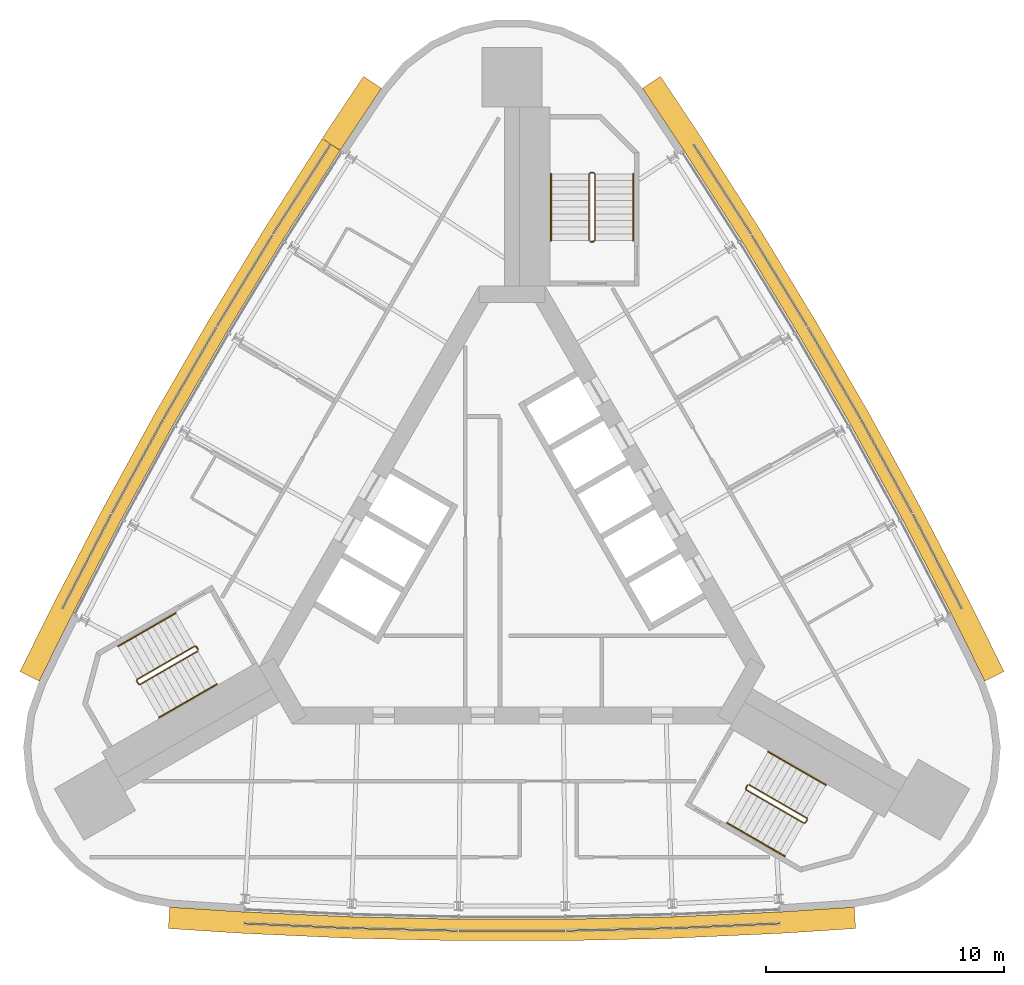
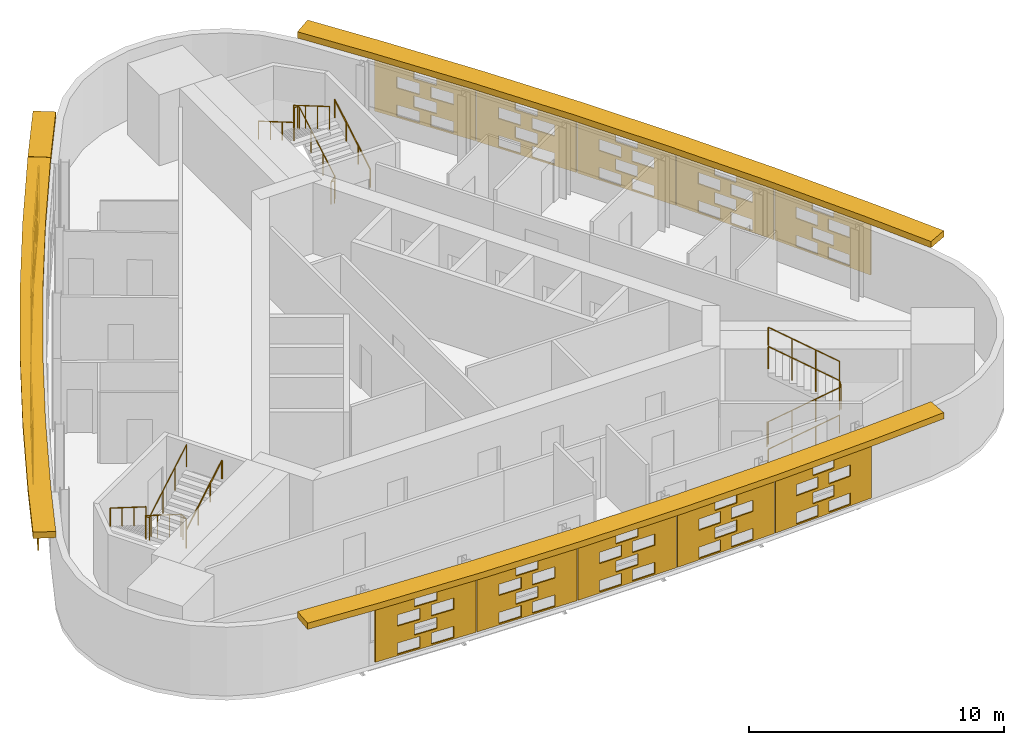
# One storey, part 9 of 9: 19 shading devices, 9 railings.
"""IFC4 building model written with IfcOpenShell, lengths in metres."""

from ifc_helpers import new_model, si_unit, direction, frame, origin, origin_2d, place, context, subcontext, project, spatial, polyline, circle, outline, extrude, material, material_profile, profile_set, type_object, element, save


model = new_model("IFC4")

# Units and contexts
model_context = context("Model", 3, precision=1e-05, world=origin(), true_north=direction((0.0, 1.0)))
body_context = subcontext(model_context, "Body", "Model", "MODEL_VIEW")
ifc_project = project(units=[si_unit("LENGTHUNIT", "METRE"), si_unit("AREAUNIT", "SQUARE_METRE"), si_unit("VOLUMEUNIT", "CUBIC_METRE"), si_unit("PLANEANGLEUNIT", "RADIAN"), si_unit("MASSUNIT", "GRAM", prefix="KILO")], contexts=[model_context])

# Site, building, storey
site_placement = place(None, origin())
site = spatial("IfcSite", under=ifc_project, at=site_placement, CompositionType="ELEMENT")
building_placement = place(site_placement, origin())
building = spatial("IfcBuilding", under=site, at=building_placement, Name="Noor Cloister Tower", CompositionType="ELEMENT")
storey_placement = place(building_placement, frame((0.0, 0.0, 232.800048828125)))
storey = spatial("IfcBuildingStorey", under=building, at=storey_placement, Name="L60", CompositionType="ELEMENT", Elevation=232.800048828125)

# Shading devices
ifc_material_1 = material(Name="Limestone", Category="masonry")
ifc_material_profile = material_profile(ifc_material_1, outline(polyline([(-2.22998046875, -1.35009765625), (2.22998046875, -1.35009765625), (2.22998046875, 1.35009765625), (-2.22998046875, 1.35009765625), (-2.22998046875, -1.35009765625)]), holes=[polyline([(-1.25, -1.282470703125), (-0.25, -1.282470703125), (-0.25, -0.742431640625), (-1.25, -0.742431640625), (-1.25, -1.282470703125)]), polyline([(0.25, -1.282470703125), (1.25, -1.282470703125), (1.25, -0.742431640625), (0.25, -0.742431640625), (0.25, -1.282470703125)]), polyline([(-0.5, -0.607421875), (0.5, -0.607421875), (0.5, -0.0673828125), (-0.5, -0.0673828125), (-0.5, -0.607421875)]), polyline([(-1.25, 0.0673828125), (-0.25, 0.0673828125), (-0.25, 0.607421875), (-1.25, 0.607421875), (-1.25, 0.0673828125)]), polyline([(0.25, 0.0673828125), (1.25, 0.0673828125), (1.25, 0.607421875), (0.25, 0.607421875), (0.25, 0.0673828125)]), polyline([(-0.5, 0.742431640625), (0.5, 0.742431640625), (0.5, 1.282470703125), (-0.5, 1.282470703125), (-0.5, 0.742431640625)])]), Name="Woven screen 35 percent open")
ifc_profile_set = profile_set([ifc_material_profile], Name="Limestone")
shading_device_type_1 = type_object("IfcShadingDeviceType", Name="SCREEN woven limestone 35 percent open", PredefinedType="USERDEFINED", material=ifc_profile_set)
for number, where, z_axis, x_axis, name in (
    (1, (-8.8037109375, 15.494384765625, 1.849853515625), (-0.841310503427, 0.540552159207, 0.0), (-0.540552159207, -0.841310503427, 0.0), "SCREEN L60 1"),
    (2, (-11.18994140625, 11.667724609375, 1.849853515625), (-0.853884327381, 0.520462828118, 0.0), (-0.520462828118, -0.853884327381, 0.0), "SCREEN L60 2"),
    (3, (-13.489013671875, 7.787841796875, 1.849853515625), (-0.865982457891, 0.500074377092, 0.0), (-0.500074377092, -0.865982457891, 0.0), "SCREEN L60 3"),
    (4, (-15.699462890625, 3.85693359375, 1.849853515625), (-0.877584848731, 0.479421352547, 0.0), (-0.479421352547, -0.877584848731, 0.0), "SCREEN L60 4"),
    (5, (-17.820556640625, -0.123046875, 1.849853515625), (-0.887816162103, 0.460198285861, 0.0), (-0.460198285861, -0.887816162103, 0.0), "SCREEN L60 5"),
):
    element("IfcShadingDevice", number, at=place(storey_placement, frame(where, z_axis=z_axis, x_axis=x_axis)), inside=storey, type_object=shading_device_type_1, Name=name, ObjectType="SCREEN", PredefinedType="USERDEFINED", context=body_context, shape_type="SweptSolid", body=[
        extrude(outline(polyline([(-2.22998046875, -1.35009765625), (2.22998046875, -1.35009765625), (2.22998046875, 1.35009765625), (-2.22998046875, 1.35009765625), (-2.22998046875, -1.35009765625)]), holes=[polyline([(-1.25, -1.282470703125), (-0.25, -1.282470703125), (-0.25, -0.742431640625), (-1.25, -0.742431640625), (-1.25, -1.282470703125)]), polyline([(0.25, -1.282470703125), (1.25, -1.282470703125), (1.25, -0.742431640625), (0.25, -0.742431640625), (0.25, -1.282470703125)]), polyline([(-0.5, -0.607421875), (0.5, -0.607421875), (0.5, -0.0673828125), (-0.5, -0.0673828125), (-0.5, -0.607421875)]), polyline([(-1.25, 0.0673828125), (-0.25, 0.0673828125), (-0.25, 0.607421875), (-1.25, 0.607421875), (-1.25, 0.0673828125)]), polyline([(0.25, 0.0673828125), (1.25, 0.0673828125), (1.25, 0.607421875), (0.25, 0.607421875), (0.25, 0.0673828125)]), polyline([(-0.5, 0.742431640625), (0.5, 0.742431640625), (0.5, 1.282470703125), (-0.5, 1.282470703125), (-0.5, 0.742431640625)])]), origin(), (0.0, 0.0, 1.0), 0.06005859375),
    ])
shading_device_1_placement = place(storey_placement, frame((-9.016845703125, -15.37158203125, 1.849853515625), z_axis=(-0.044852774233, -0.998993607909, 0.0), x_axis=(0.998993607909, -0.044852774233, 0.0)))
element("IfcShadingDevice", 6, at=shading_device_1_placement, inside=storey, type_object=shading_device_type_1, Name="SCREEN L60 1", ObjectType="SCREEN", PredefinedType="USERDEFINED", context=body_context, shape_type="SweptSolid", body=[
    extrude(outline(polyline([(-2.22998046875, -1.35009765625), (2.22998046875, -1.35009765625), (2.22998046875, 1.35009765625), (-2.22998046875, 1.35009765625), (-2.22998046875, -1.35009765625)]), holes=[polyline([(-1.25, -1.282470703125), (-0.25, -1.282470703125), (-0.25, -0.742431640625), (-1.25, -0.742431640625), (-1.25, -1.282470703125)]), polyline([(0.25, -1.282470703125), (1.25, -1.282470703125), (1.25, -0.742431640625), (0.25, -0.742431640625), (0.25, -1.282470703125)]), polyline([(-0.5, -0.607421875), (0.5, -0.607421875), (0.5, -0.0673828125), (-0.5, -0.0673828125), (-0.5, -0.607421875)]), polyline([(-1.25, 0.0673828125), (-0.25, 0.0673828125), (-0.25, 0.607421875), (-1.25, 0.607421875), (-1.25, 0.0673828125)]), polyline([(0.25, 0.0673828125), (1.25, 0.0673828125), (1.25, 0.607421875), (0.25, 0.607421875), (0.25, 0.0673828125)]), polyline([(-0.5, 0.742431640625), (0.5, 0.742431640625), (0.5, 1.282470703125), (-0.5, 1.282470703125), (-0.5, 0.742431640625)])]), origin(), (0.0, 0.0, 1.0), 0.059814453125),
])
for number, where, z_axis, x_axis, name in (
    (7, (-4.509521484375, -15.524658203125, 1.849853515625), (-0.024382992455, -0.999702690643, 0.0), (0.999702690643, -0.024382992455, 0.0), "SCREEN L60 2"),
    (8, (0.0, -15.57568359375, 1.849853515625), (0.0, -1.0, 0.0), (1.0, 0.0, 0.0), "SCREEN L60 3"),
    (9, (4.509521484375, -15.524658203125, 1.849853515625), (0.024382992455, -0.999702690643, 0.0), (0.999702690643, 0.024382992455, 0.0), "SCREEN L60 4"),
):
    element("IfcShadingDevice", number, at=place(storey_placement, frame(where, z_axis=z_axis, x_axis=x_axis)), inside=storey, type_object=shading_device_type_1, Name=name, ObjectType="SCREEN", PredefinedType="USERDEFINED", context=body_context, shape_type="SweptSolid", body=[
        extrude(outline(polyline([(-2.22998046875, -1.35009765625), (2.22998046875, -1.35009765625), (2.22998046875, 1.35009765625), (-2.22998046875, 1.35009765625), (-2.22998046875, -1.35009765625)]), holes=[polyline([(-1.25, -1.282470703125), (-0.25, -1.282470703125), (-0.25, -0.742431640625), (-1.25, -0.742431640625), (-1.25, -1.282470703125)]), polyline([(0.25, -1.282470703125), (1.25, -1.282470703125), (1.25, -0.742431640625), (0.25, -0.742431640625), (0.25, -1.282470703125)]), polyline([(-0.5, -0.607421875), (0.5, -0.607421875), (0.5, -0.0673828125), (-0.5, -0.0673828125), (-0.5, -0.607421875)]), polyline([(-1.25, 0.0673828125), (-0.25, 0.0673828125), (-0.25, 0.607421875), (-1.25, 0.607421875), (-1.25, 0.0673828125)]), polyline([(0.25, 0.0673828125), (1.25, 0.0673828125), (1.25, 0.607421875), (0.25, 0.607421875), (0.25, 0.0673828125)]), polyline([(-0.5, 0.742431640625), (0.5, 0.742431640625), (0.5, 1.282470703125), (-0.5, 1.282470703125), (-0.5, 0.742431640625)])]), origin(), (0.0, 0.0, 1.0), 0.06005859375),
    ])
shading_device_2_placement = place(storey_placement, frame((9.016845703125, -15.37158203125, 1.849853515625), z_axis=(0.044852774233, -0.998993607909, 0.0), x_axis=(0.998993607909, 0.044852774233, 0.0)))
element("IfcShadingDevice", 10, at=shading_device_2_placement, inside=storey, type_object=shading_device_type_1, Name="SCREEN L60 5", ObjectType="SCREEN", PredefinedType="USERDEFINED", context=body_context, shape_type="SweptSolid", body=[
    extrude(outline(polyline([(-2.22998046875, -1.35009765625), (2.22998046875, -1.35009765625), (2.22998046875, 1.35009765625), (-2.22998046875, 1.35009765625), (-2.22998046875, -1.35009765625)]), holes=[polyline([(-1.25, -1.282470703125), (-0.25, -1.282470703125), (-0.25, -0.742431640625), (-1.25, -0.742431640625), (-1.25, -1.282470703125)]), polyline([(0.25, -1.282470703125), (1.25, -1.282470703125), (1.25, -0.742431640625), (0.25, -0.742431640625), (0.25, -1.282470703125)]), polyline([(-0.5, -0.607421875), (0.5, -0.607421875), (0.5, -0.0673828125), (-0.5, -0.0673828125), (-0.5, -0.607421875)]), polyline([(-1.25, 0.0673828125), (-0.25, 0.0673828125), (-0.25, 0.607421875), (-1.25, 0.607421875), (-1.25, 0.0673828125)]), polyline([(0.25, 0.0673828125), (1.25, 0.0673828125), (1.25, 0.607421875), (0.25, 0.607421875), (0.25, 0.0673828125)]), polyline([(-0.5, 0.742431640625), (0.5, 0.742431640625), (0.5, 1.282470703125), (-0.5, 1.282470703125), (-0.5, 0.742431640625)])]), origin(), (0.0, 0.0, 1.0), 0.059814453125),
])
for number, where, z_axis, x_axis, name in (
    (11, (17.820556640625, -0.123046875, 1.849853515625), (0.887816162103, 0.460198285861, 0.0), (-0.460198285861, 0.887816162103, 0.0), "SCREEN L60 1"),
    (12, (15.699462890625, 3.85693359375, 1.849853515625), (0.877584848731, 0.479421352547, 0.0), (-0.479421352547, 0.877584848731, 0.0), "SCREEN L60 2"),
    (13, (13.489013671875, 7.787841796875, 1.849853515625), (0.865982457891, 0.500074377092, 0.0), (-0.500074377092, 0.865982457891, 0.0), "SCREEN L60 3"),
    (14, (11.18994140625, 11.667724609375, 1.849853515625), (0.853884327381, 0.520462828118, 0.0), (-0.520462828118, 0.853884327381, 0.0), "SCREEN L60 4"),
    (15, (8.8037109375, 15.494384765625, 1.849853515625), (0.841310503427, 0.540552159207, 0.0), (-0.540552159207, 0.841310503427, 0.0), "SCREEN L60 5"),
):
    element("IfcShadingDevice", number, at=place(storey_placement, frame(where, z_axis=z_axis, x_axis=x_axis)), inside=storey, type_object=shading_device_type_1, Name=name, ObjectType="SCREEN", PredefinedType="USERDEFINED", context=body_context, shape_type="SweptSolid", body=[
        extrude(outline(polyline([(-2.22998046875, -1.35009765625), (2.22998046875, -1.35009765625), (2.22998046875, 1.35009765625), (-2.22998046875, 1.35009765625), (-2.22998046875, -1.35009765625)]), holes=[polyline([(-1.25, -1.282470703125), (-0.25, -1.282470703125), (-0.25, -0.742431640625), (-1.25, -0.742431640625), (-1.25, -1.282470703125)]), polyline([(0.25, -1.282470703125), (1.25, -1.282470703125), (1.25, -0.742431640625), (0.25, -0.742431640625), (0.25, -1.282470703125)]), polyline([(-0.5, -0.607421875), (0.5, -0.607421875), (0.5, -0.0673828125), (-0.5, -0.0673828125), (-0.5, -0.607421875)]), polyline([(-1.25, 0.0673828125), (-0.25, 0.0673828125), (-0.25, 0.607421875), (-1.25, 0.607421875), (-1.25, 0.0673828125)]), polyline([(0.25, 0.0673828125), (1.25, 0.0673828125), (1.25, 0.607421875), (0.25, 0.607421875), (0.25, 0.0673828125)]), polyline([(-0.5, 0.742431640625), (0.5, 0.742431640625), (0.5, 1.282470703125), (-0.5, 1.282470703125), (-0.5, 0.742431640625)])]), origin(), (0.0, 0.0, 1.0), 0.06005859375),
    ])
ifc_material_2 = material(Name="Limestone", Category="masonry")
shading_device_type_2 = type_object("IfcShadingDeviceType", Name="SUNSHADE limestone band 900", PredefinedType="USERDEFINED", material=ifc_material_2)
shading_device_3_placement = place(storey_placement, frame((0.0, 0.0, 3.300048828125)))
element("IfcShadingDevice", 16, at=shading_device_3_placement, inside=storey, type_object=shading_device_type_2, Name="SUNSHADE L60 1", ObjectType="SUNSHADE", PredefinedType="USERDEFINED", context=body_context, shape_type="SweptSolid", body=[
    extrude(outline(polyline([(-7.970703125, 17.632568359375), (-10.400390625, 13.832763671875), (-12.74853515625, 9.97021484375), (-15.0087890625, 6.0556640625), (-17.1796875, 2.090576171875), (-19.259521484375, -1.9208984375), (-20.64892578125, -4.731689453125), (-19.842041015625, -5.13037109375), (-18.45654296875, -2.32763671875), (-16.385498046875, 1.66748046875), (-14.224365234375, 5.6142578125), (-11.974365234375, 9.511474609375), (-9.63671875, 13.3564453125), (-7.212646484375, 17.147705078125), (-7.970703125, 17.632568359375)])), origin(), (0.0, 0.0, 1.0), 0.2998046875),
])
shading_device_4_placement = place(storey_placement, frame((0.0, 0.0, 3.300048828125)))
element("IfcShadingDevice", 17, at=shading_device_4_placement, inside=storey, type_object=shading_device_type_2, Name="SUNSHADE L60 2", ObjectType="SUNSHADE", PredefinedType="USERDEFINED", context=body_context, shape_type="SweptSolid", body=[
    extrude(outline(polyline([(-14.422119140625, -15.5166015625), (-11.29345703125, -15.71875), (-6.779296875, -15.92333984375), (-2.26025390625, -16.02587890625), (2.26025390625, -16.02587890625), (6.779296875, -15.92333984375), (11.29345703125, -15.71875), (14.422119140625, -15.5166015625), (14.3642578125, -14.61865234375), (11.243896484375, -14.820068359375), (6.748779296875, -15.02392578125), (2.25, -15.125732421875), (-2.25, -15.125732421875), (-6.748779296875, -15.02392578125), (-11.243896484375, -14.820068359375), (-14.3642578125, -14.61865234375), (-14.422119140625, -15.5166015625)])), origin(), (0.0, 0.0, 1.0), 0.2998046875),
])
shading_device_5_placement = place(storey_placement, frame((0.0, 0.0, 3.300048828125)))
element("IfcShadingDevice", 18, at=shading_device_5_placement, inside=storey, type_object=shading_device_type_2, Name="SUNSHADE L60 3", ObjectType="SUNSHADE", PredefinedType="USERDEFINED", context=body_context, shape_type="SweptSolid", body=[
    extrude(outline(polyline([(20.64892578125, -4.731689453125), (19.259521484375, -1.9208984375), (17.1796875, 2.090576171875), (15.0087890625, 6.0556640625), (12.74853515625, 9.97021484375), (10.400390625, 13.832763671875), (7.966064453125, 17.6396484375), (6.226806640625, 20.248291015625), (5.47802734375, 19.7490234375), (7.212646484375, 17.147705078125), (9.63671875, 13.3564453125), (11.974365234375, 9.511474609375), (14.224365234375, 5.6142578125), (16.385498046875, 1.66748046875), (18.45654296875, -2.32763671875), (19.842041015625, -5.13037109375), (20.64892578125, -4.731689453125)])), origin(), (0.0, 0.0, 1.0), 0.2998046875),
])
shading_device_6_placement = place(storey_placement, frame((0.0, 0.0, 3.300048828125)))
element("IfcShadingDevice", 19, at=shading_device_6_placement, inside=storey, type_object=shading_device_type_2, Name="SUNSHADE L60 4", ObjectType="SUNSHADE", PredefinedType="USERDEFINED", context=body_context, shape_type="SweptSolid", body=[
    extrude(outline(polyline([(-6.226806640625, 20.248291015625), (-7.96142578125, 17.64697265625), (-7.212646484375, 17.147705078125), (-5.47802734375, 19.7490234375), (-6.226806640625, 20.248291015625)])), origin(), (0.0, 0.0, 1.0), 0.2998046875),
])

# Railings
ifc_material_3 = material(Name="Stainless steel", Category="steel")
railing_type_1 = type_object("IfcRailingType", Name="Stair guard 1100", PredefinedType="GUARDRAIL", material=ifc_material_3)
railing_1_placement = place(storey_placement, frame((3.435546875, 13.306396484375, 0.0)))
element("IfcRailing", 20, at=railing_1_placement, inside=storey, type_object=railing_type_1, Name="Stair guard ST1 L60", PredefinedType="GUARDRAIL", context=body_context, shape_type="SweptSolid", body=[
    extrude(circle(Radius=0.02392578125, at=origin_2d()), frame((0.0, 0.0, 1.076171875), z_axis=(-1.0, 0.0, 0.0), x_axis=(0.0, -1.0, 0.0)), (0.0, 0.0, 1.0), 0.14990234375),
    extrude(circle(Radius=0.02392578125, at=origin_2d()), frame((-0.14990234375, 0.0, 1.076171875), z_axis=(0.759870394187, 0.190199549216, 0.621627795), x_axis=(-0.242814311512, 0.970072785993, 0.0)), (0.0, 0.0, 1.0), 0.26318359375),
    extrude(circle(Radius=0.02392578125, at=origin_2d()), frame((0.050048828125, 0.050048828125, 1.23974609375), z_axis=(0.0, 0.863360870873, 0.504586966384), x_axis=(-1.0, 0.0, 0.0)), (0.0, 0.0, 1.0), 3.2431640625),
    extrude(circle(Radius=0.02392578125, at=origin_2d()), frame((0.050048828125, 2.85009765625, 2.8759765625), z_axis=(-0.708833529934, 0.705375805398, 0.0), x_axis=(-0.705375805398, -0.708833529934, 0.0)), (0.0, 0.0, 1.0), 0.070556640625),
    extrude(circle(Radius=0.02392578125, at=origin_2d()), frame((0.0, 2.89990234375, 2.8759765625), z_axis=(-1.0, 0.0, 0.0), x_axis=(0.0, -1.0, 0.0)), (0.0, 0.0, 1.0), 0.14990234375),
    extrude(circle(Radius=0.02392578125, at=origin_2d()), frame((-0.14990234375, 2.89990234375, 2.8759765625), z_axis=(-0.280916556609, -0.279546231943, 0.91811752648), x_axis=(0.705375805398, -0.708833529934, 0.0)), (0.0, 0.0, 1.0), 0.17822265625),
    extrude(circle(Radius=0.02392578125, at=origin_2d()), frame((-0.199951171875, 2.85009765625, 3.03955078125), z_axis=(0.0, -0.863393664356, 0.504530851732), x_axis=(1.0, 0.0, 0.0)), (0.0, 0.0, 1.0), 3.2431640625),
    extrude(circle(Radius=0.02099609375, at=origin_2d()), origin(), (0.0, 0.0, 1.0), 1.052001953125),
    extrude(circle(Radius=0.02099609375, at=origin_2d()), frame((-0.14990234375, 0.0, 0.0)), (0.0, 0.0, 1.0), 1.052001953125),
    extrude(circle(Radius=0.02099609375, at=origin_2d()), frame((0.050048828125, 0.050048828125, 0.16357421875)), (0.0, 0.0, 1.0), 1.052001953125),
    extrude(circle(Radius=0.02099609375, at=origin_2d()), frame((0.050048828125, 0.9833984375, 0.708984375)), (0.0, 0.0, 1.0), 1.052001953125),
    extrude(circle(Radius=0.02099609375, at=origin_2d()), frame((0.050048828125, 1.916748046875, 1.254638671875)), (0.0, 0.0, 1.0), 1.052001953125),
    extrude(circle(Radius=0.02099609375, at=origin_2d()), frame((0.050048828125, 2.85009765625, 1.800048828125)), (0.0, 0.0, 1.0), 1.052001953125),
    extrude(circle(Radius=0.02099609375, at=origin_2d()), frame((0.0, 2.89990234375, 1.800048828125)), (0.0, 0.0, 1.0), 1.052001953125),
    extrude(circle(Radius=0.02099609375, at=origin_2d()), frame((-0.14990234375, 2.89990234375, 1.800048828125)), (0.0, 0.0, 1.0), 1.052001953125),
    extrude(circle(Radius=0.02099609375, at=origin_2d()), frame((-0.199951171875, 2.85009765625, 1.963623046875)), (0.0, 0.0, 1.0), 1.052001953125),
    extrude(circle(Radius=0.02099609375, at=origin_2d()), frame((-0.199951171875, 1.916748046875, 2.509033203125)), (0.0, 0.0, 1.0), 1.052001953125),
    extrude(circle(Radius=0.02099609375, at=origin_2d()), frame((-0.199951171875, 0.9833984375, 3.054443359375)), (0.0, 0.0, 1.0), 1.052001953125),
    extrude(circle(Radius=0.02099609375, at=origin_2d()), frame((-0.199951171875, 0.050048828125, 3.599853515625)), (0.0, 0.0, 1.0), 1.052001953125),
])
railing_2_placement = place(storey_placement, frame((-13.241455078125, -3.677734375, 0.0)))
element("IfcRailing", 21, at=railing_2_placement, inside=storey, type_object=railing_type_1, Name="Stair guard ST2 L60", PredefinedType="GUARDRAIL", context=body_context, shape_type="SweptSolid", body=[
    extrude(circle(Radius=0.02392578125, at=origin_2d()), frame((0.0, 0.0, 1.076171875), z_axis=(0.499112439033, -0.866537231285, 0.0), x_axis=(0.866537231285, 0.499112439033, 0.0)), (0.0, 0.0, 1.0), 0.150146484375),
    extrude(circle(Radius=0.02392578125, at=origin_2d()), frame((0.074951171875, -0.130126953125, 1.076171875), z_axis=(-0.544565797804, 0.563119998752, 0.621565731736), x_axis=(-0.718850276695, -0.695164929852, 0.0)), (0.0, 0.0, 1.0), 0.26318359375),
    extrude(circle(Radius=0.02392578125, at=origin_2d()), frame((-0.068359375, 0.01806640625, 1.23974609375), z_axis=(-0.747689811644, -0.431660630283, 0.504607813879), x_axis=(0.49998411664, -0.866034573852, 0.0)), (0.0, 0.0, 1.0), 3.2431640625),
    extrude(circle(Radius=0.02392578125, at=origin_2d()), frame((-2.4931640625, -1.3818359375, 2.8759765625), z_axis=(-0.258736085224, -0.965948051503, 0.0), x_axis=(0.965948051503, -0.258736085224, 0.0)), (0.0, 0.0, 1.0), 0.07080078125),
    extrude(circle(Radius=0.02392578125, at=origin_2d()), frame((-2.511474609375, -1.4501953125, 2.8759765625), z_axis=(0.499816412211, -0.866131372301, 0.0), x_axis=(0.866131372301, 0.499816412211, 0.0)), (0.0, 0.0, 1.0), 0.14990234375),
    extrude(circle(Radius=0.02392578125, at=origin_2d()), frame((-2.4365234375, -1.580078125, 2.8759765625), z_axis=(0.383552647116, -0.102737316192, 0.917786691313), x_axis=(0.258736085224, 0.965948051503, 0.0)), (0.0, 0.0, 1.0), 0.17822265625),
    extrude(circle(Radius=0.02392578125, at=origin_2d()), frame((-2.3681640625, -1.598388671875, 3.03955078125), z_axis=(0.747693913401, 0.431738279637, 0.504535300807), x_axis=(-0.500049511043, 0.865996816683, 0.0)), (0.0, 0.0, 1.0), 3.2431640625),
    extrude(circle(Radius=0.02099609375, at=origin_2d()), origin(), (0.0, 0.0, 1.0), 1.052001953125),
    extrude(circle(Radius=0.02099609375, at=origin_2d()), frame((0.074951171875, -0.130126953125, 0.0)), (0.0, 0.0, 1.0), 1.052001953125),
    extrude(circle(Radius=0.02099609375, at=origin_2d()), frame((-0.068359375, 0.01806640625, 0.16357421875)), (0.0, 0.0, 1.0), 1.052001953125),
    extrude(circle(Radius=0.02099609375, at=origin_2d()), frame((-0.876708984375, -0.448486328125, 0.708984375)), (0.0, 0.0, 1.0), 1.052001953125),
    extrude(circle(Radius=0.02099609375, at=origin_2d()), frame((-1.684814453125, -0.915283203125, 1.254638671875)), (0.0, 0.0, 1.0), 1.052001953125),
    extrude(circle(Radius=0.02099609375, at=origin_2d()), frame((-2.4931640625, -1.3818359375, 1.800048828125)), (0.0, 0.0, 1.0), 1.052001953125),
    extrude(circle(Radius=0.02099609375, at=origin_2d()), frame((-2.511474609375, -1.4501953125, 1.800048828125)), (0.0, 0.0, 1.0), 1.052001953125),
    extrude(circle(Radius=0.02099609375, at=origin_2d()), frame((-2.4365234375, -1.580078125, 1.800048828125)), (0.0, 0.0, 1.0), 1.052001953125),
    extrude(circle(Radius=0.02099609375, at=origin_2d()), frame((-2.3681640625, -1.598388671875, 1.963623046875)), (0.0, 0.0, 1.0), 1.052001953125),
    extrude(circle(Radius=0.02099609375, at=origin_2d()), frame((-1.559814453125, -1.131591796875, 2.509033203125)), (0.0, 0.0, 1.0), 1.052001953125),
    extrude(circle(Radius=0.02099609375, at=origin_2d()), frame((-0.751708984375, -0.6650390625, 3.054443359375)), (0.0, 0.0, 1.0), 1.052001953125),
    extrude(circle(Radius=0.02099609375, at=origin_2d()), frame((0.056640625, -0.1982421875, 3.599853515625)), (0.0, 0.0, 1.0), 1.052001953125),
])
railing_3_placement = place(storey_placement, frame((9.805908203125, -9.628662109375, 0.0)))
element("IfcRailing", 22, at=railing_3_placement, inside=storey, type_object=railing_type_1, Name="Stair guard ST3 L60", PredefinedType="GUARDRAIL", context=body_context, shape_type="SweptSolid", body=[
    extrude(circle(Radius=0.02392578125, at=origin_2d()), frame((0.0, 0.0, 1.076171875), z_axis=(0.499112439033, 0.866537231285, 0.0), x_axis=(-0.866537231285, 0.499112439033, 0.0)), (0.0, 0.0, 1.0), 0.150146484375),
    extrude(circle(Radius=0.02392578125, at=origin_2d()), frame((0.074951171875, 0.130126953125, 1.076171875), z_axis=(-0.215214839654, -0.753251938789, 0.621525614518), x_axis=(0.961523947641, -0.274721127897, 0.0)), (0.0, 0.0, 1.0), 0.26318359375),
    extrude(circle(Radius=0.02392578125, at=origin_2d()), frame((0.018310546875, -0.068115234375, 1.23974609375), z_axis=(0.747665513933, -0.431721881032, 0.504591415616), x_axis=(0.500049511043, 0.865996816683, 0.0)), (0.0, 0.0, 1.0), 3.2431640625),
    extrude(circle(Radius=0.02392578125, at=origin_2d()), frame((2.443115234375, -1.46826171875, 2.8759765625), z_axis=(0.965948051503, 0.258736085224, 0.0), x_axis=(-0.258736085224, 0.965948051503, 0.0)), (0.0, 0.0, 1.0), 0.07080078125),
    extrude(circle(Radius=0.02392578125, at=origin_2d()), frame((2.511474609375, -1.449951171875, 2.8759765625), z_axis=(0.499816412211, 0.866131372301, 0.0), x_axis=(-0.866131372301, 0.499816412211, 0.0)), (0.0, 0.0, 1.0), 0.14990234375),
    extrude(circle(Radius=0.02392578125, at=origin_2d()), frame((2.58642578125, -1.320068359375, 2.8759765625), z_axis=(-0.102737316192, 0.383552647116, 0.917786691313), x_axis=(-0.965948051503, -0.258736085224, 0.0)), (0.0, 0.0, 1.0), 0.17822265625),
    extrude(circle(Radius=0.02392578125, at=origin_2d()), frame((2.568115234375, -1.251708984375, 3.03955078125), z_axis=(-0.74771821388, 0.431677027627, 0.504551698492), x_axis=(-0.49998411664, -0.866034573852, 0.0)), (0.0, 0.0, 1.0), 3.242919921875),
    extrude(circle(Radius=0.02099609375, at=origin_2d()), origin(), (0.0, 0.0, 1.0), 1.052001953125),
    extrude(circle(Radius=0.02099609375, at=origin_2d()), frame((0.074951171875, 0.130126953125, 0.0)), (0.0, 0.0, 1.0), 1.052001953125),
    extrude(circle(Radius=0.02099609375, at=origin_2d()), frame((0.018310546875, -0.068115234375, 0.16357421875)), (0.0, 0.0, 1.0), 1.052001953125),
    extrude(circle(Radius=0.02099609375, at=origin_2d()), frame((0.82666015625, -0.534912109375, 0.708984375)), (0.0, 0.0, 1.0), 1.052001953125),
    extrude(circle(Radius=0.02099609375, at=origin_2d()), frame((1.634765625, -1.00146484375, 1.254638671875)), (0.0, 0.0, 1.0), 1.052001953125),
    extrude(circle(Radius=0.02099609375, at=origin_2d()), frame((2.443115234375, -1.46826171875, 1.800048828125)), (0.0, 0.0, 1.0), 1.052001953125),
    extrude(circle(Radius=0.02099609375, at=origin_2d()), frame((2.511474609375, -1.449951171875, 1.800048828125)), (0.0, 0.0, 1.0), 1.052001953125),
    extrude(circle(Radius=0.02099609375, at=origin_2d()), frame((2.58642578125, -1.320068359375, 1.800048828125)), (0.0, 0.0, 1.0), 1.052001953125),
    extrude(circle(Radius=0.02099609375, at=origin_2d()), frame((2.568115234375, -1.251708984375, 1.963623046875)), (0.0, 0.0, 1.0), 1.052001953125),
    extrude(circle(Radius=0.02099609375, at=origin_2d()), frame((1.759765625, -0.78515625, 2.509033203125)), (0.0, 0.0, 1.0), 1.052001953125),
    extrude(circle(Radius=0.02099609375, at=origin_2d()), frame((0.95166015625, -0.318359375, 3.054443359375)), (0.0, 0.0, 1.0), 1.052001953125),
    extrude(circle(Radius=0.02099609375, at=origin_2d()), frame((0.143310546875, 0.148193359375, 3.599853515625)), (0.0, 0.0, 1.0), 1.052001953125),
])
ifc_material_4 = material(Name="Stainless steel", Category="steel")
railing_type_2 = type_object("IfcRailingType", Name="Stair handrail 900", PredefinedType="HANDRAIL", material=ifc_material_4)
railing_4_placement = place(storey_placement, frame((5.085693359375, 13.3564453125, 0.16357421875)))
element("IfcRailing", 23, at=railing_4_placement, inside=storey, type_object=railing_type_2, Name="Stair handrail ST1 L60 1", PredefinedType="HANDRAIL", context=body_context, shape_type="SweptSolid", body=[
    extrude(circle(Radius=0.02392578125, at=origin_2d()), frame((0.0, 0.0, 0.8759765625), z_axis=(0.0, 0.863360870873, 0.504586966384), x_axis=(-1.0, 0.0, 0.0)), (0.0, 0.0, 1.0), 3.2431640625),
    extrude(circle(Radius=0.02099609375, at=origin_2d()), origin(), (0.0, 0.0, 1.0), 0.851806640625),
    extrude(circle(Radius=0.02099609375, at=origin_2d()), frame((0.0, 0.933349609375, 0.54541015625)), (0.0, 0.0, 1.0), 0.851806640625),
    extrude(circle(Radius=0.02099609375, at=origin_2d()), frame((0.0, 1.86669921875, 1.091064453125)), (0.0, 0.0, 1.0), 0.851806640625),
    extrude(circle(Radius=0.02099609375, at=origin_2d()), frame((0.0, 2.800048828125, 1.636474609375)), (0.0, 0.0, 1.0), 0.851806640625),
])
railing_5_placement = place(storey_placement, frame((1.6357421875, 16.156494140625, 1.963623046875)))
element("IfcRailing", 24, at=railing_5_placement, inside=storey, type_object=railing_type_2, Name="Stair handrail ST1 L60 2", PredefinedType="HANDRAIL", context=body_context, shape_type="SweptSolid", body=[
    extrude(circle(Radius=0.02392578125, at=origin_2d()), frame((0.0, 0.0, 0.8759765625), z_axis=(0.0, -0.863393664356, 0.504530851732), x_axis=(1.0, 0.0, 0.0)), (0.0, 0.0, 1.0), 3.2431640625),
    extrude(circle(Radius=0.02099609375, at=origin_2d()), origin(), (0.0, 0.0, 1.0), 0.851806640625),
    extrude(circle(Radius=0.02099609375, at=origin_2d()), frame((0.0, -0.933349609375, 0.54541015625)), (0.0, 0.0, 1.0), 0.851806640625),
    extrude(circle(Radius=0.02099609375, at=origin_2d()), frame((0.0, -1.86669921875, 1.0908203125)), (0.0, 0.0, 1.0), 0.851806640625),
    extrude(circle(Radius=0.02099609375, at=origin_2d()), frame((0.0, -2.800048828125, 1.63623046875)), (0.0, 0.0, 1.0), 0.851806640625),
])
railing_6_placement = place(storey_placement, frame((-14.10986328125, -2.27392578125, 0.16357421875)))
element("IfcRailing", 25, at=railing_6_placement, inside=storey, type_object=railing_type_2, Name="Stair handrail ST2 L60 1", PredefinedType="HANDRAIL", context=body_context, shape_type="SweptSolid", body=[
    extrude(circle(Radius=0.02392578125, at=origin_2d()), frame((0.0, 0.0, 0.8759765625), z_axis=(-0.747689811644, -0.431660630283, 0.504607813879), x_axis=(0.49998411664, -0.866034573852, 0.0)), (0.0, 0.0, 1.0), 3.2431640625),
    extrude(circle(Radius=0.02099609375, at=origin_2d()), origin(), (0.0, 0.0, 1.0), 0.851806640625),
    extrude(circle(Radius=0.02099609375, at=origin_2d()), frame((-0.808349609375, -0.466552734375, 0.54541015625)), (0.0, 0.0, 1.0), 0.851806640625),
    extrude(circle(Radius=0.02099609375, at=origin_2d()), frame((-1.616455078125, -0.933349609375, 1.091064453125)), (0.0, 0.0, 1.0), 0.851806640625),
    extrude(circle(Radius=0.02099609375, at=origin_2d()), frame((-2.4248046875, -1.39990234375, 1.636474609375)), (0.0, 0.0, 1.0), 0.851806640625),
])
railing_7_placement = place(storey_placement, frame((-14.8095703125, -6.66162109375, 1.963623046875)))
element("IfcRailing", 26, at=railing_7_placement, inside=storey, type_object=railing_type_2, Name="Stair handrail ST2 L60 2", PredefinedType="HANDRAIL", context=body_context, shape_type="SweptSolid", body=[
    extrude(circle(Radius=0.02392578125, at=origin_2d()), frame((0.0, 0.0, 0.8759765625), z_axis=(0.74771821388, 0.431677027627, 0.504551698492), x_axis=(-0.49998411664, 0.866034573852, 0.0)), (0.0, 0.0, 1.0), 3.242919921875),
    extrude(circle(Radius=0.02099609375, at=origin_2d()), origin(), (0.0, 0.0, 1.0), 0.851806640625),
    extrude(circle(Radius=0.02099609375, at=origin_2d()), frame((0.808349609375, 0.466552734375, 0.54541015625)), (0.0, 0.0, 1.0), 0.851806640625),
    extrude(circle(Radius=0.02099609375, at=origin_2d()), frame((1.616455078125, 0.933349609375, 1.0908203125)), (0.0, 0.0, 1.0), 0.851806640625),
    extrude(circle(Radius=0.02099609375, at=origin_2d()), frame((2.4248046875, 1.39990234375, 1.63623046875)), (0.0, 0.0, 1.0), 0.851806640625),
])
railing_8_placement = place(storey_placement, frame((9.024169921875, -11.08251953125, 0.16357421875)))
element("IfcRailing", 27, at=railing_8_placement, inside=storey, type_object=railing_type_2, Name="Stair handrail ST3 L60 1", PredefinedType="HANDRAIL", context=body_context, shape_type="SweptSolid", body=[
    extrude(circle(Radius=0.02392578125, at=origin_2d()), frame((0.0, 0.0, 0.8759765625), z_axis=(0.747689811644, -0.431660630283, 0.504607813879), x_axis=(0.49998411664, 0.866034573852, 0.0)), (0.0, 0.0, 1.0), 3.2431640625),
    extrude(circle(Radius=0.02099609375, at=origin_2d()), origin(), (0.0, 0.0, 1.0), 0.851806640625),
    extrude(circle(Radius=0.02099609375, at=origin_2d()), frame((0.808349609375, -0.466552734375, 0.54541015625)), (0.0, 0.0, 1.0), 0.851806640625),
    extrude(circle(Radius=0.02099609375, at=origin_2d()), frame((1.616455078125, -0.933349609375, 1.091064453125)), (0.0, 0.0, 1.0), 0.851806640625),
    extrude(circle(Radius=0.02099609375, at=origin_2d()), frame((2.4248046875, -1.39990234375, 1.636474609375)), (0.0, 0.0, 1.0), 0.851806640625),
])
railing_9_placement = place(storey_placement, frame((13.174072265625, -9.49462890625, 1.963623046875)))
element("IfcRailing", 28, at=railing_9_placement, inside=storey, type_object=railing_type_2, Name="Stair handrail ST3 L60 2", PredefinedType="HANDRAIL", context=body_context, shape_type="SweptSolid", body=[
    extrude(circle(Radius=0.02392578125, at=origin_2d()), frame((0.0, 0.0, 0.8759765625), z_axis=(-0.74771821388, 0.431677027627, 0.504551698492), x_axis=(-0.49998411664, -0.866034573852, 0.0)), (0.0, 0.0, 1.0), 3.242919921875),
    extrude(circle(Radius=0.02099609375, at=origin_2d()), origin(), (0.0, 0.0, 1.0), 0.851806640625),
    extrude(circle(Radius=0.02099609375, at=origin_2d()), frame((-0.808349609375, 0.466552734375, 0.54541015625)), (0.0, 0.0, 1.0), 0.851806640625),
    extrude(circle(Radius=0.02099609375, at=origin_2d()), frame((-1.616455078125, 0.933349609375, 1.0908203125)), (0.0, 0.0, 1.0), 0.851806640625),
    extrude(circle(Radius=0.02099609375, at=origin_2d()), frame((-2.4248046875, 1.39990234375, 1.63623046875)), (0.0, 0.0, 1.0), 0.851806640625),
])

save(model, "model.ifc")
